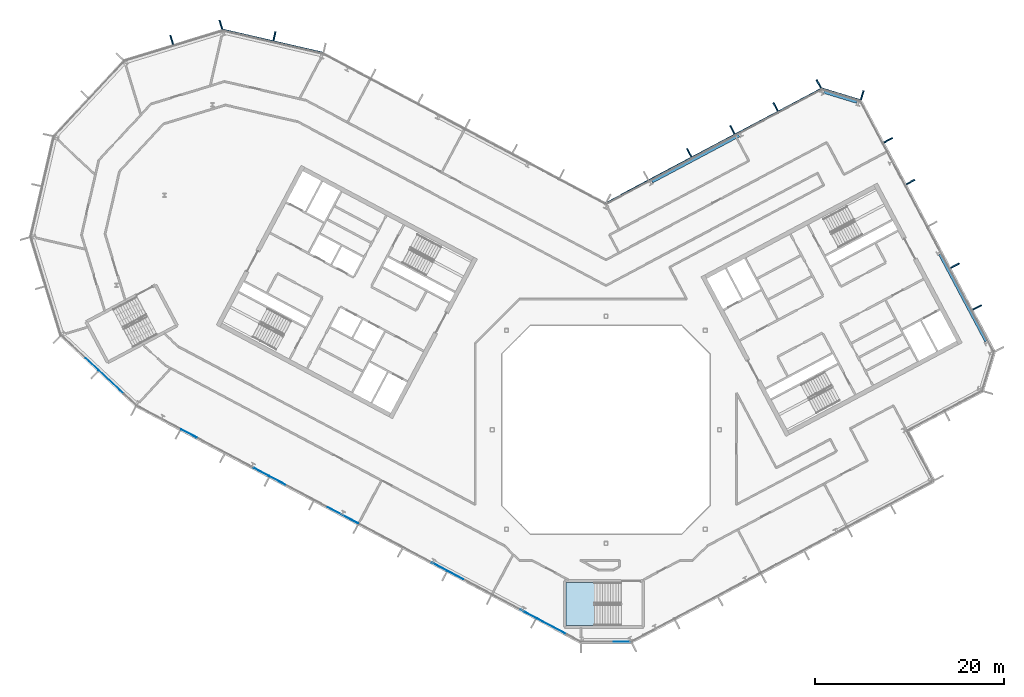
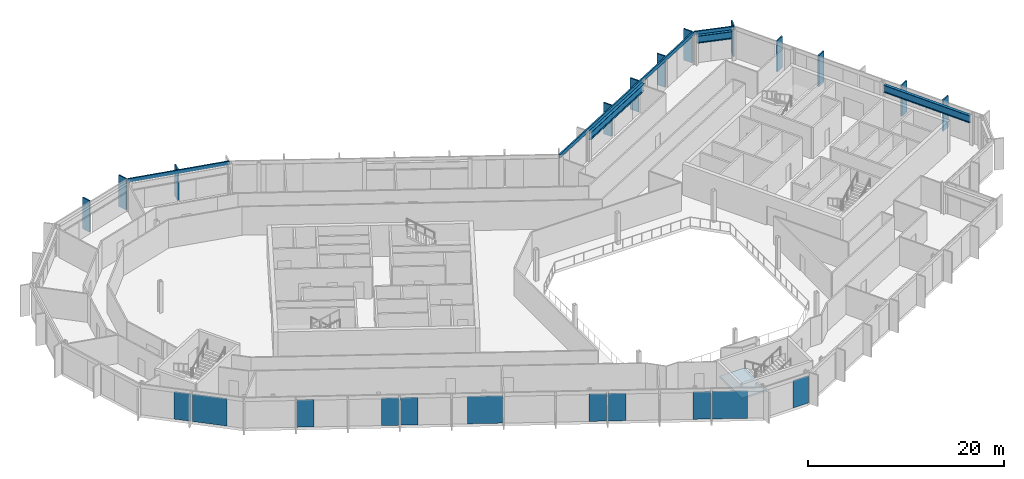
# One storey, part 10 of 26: 15 members, 11 plates, 3 beams, 1 slab, 9 elements without a shape of their own.
"""IFC4 building model written with IfcOpenShell, lengths in metres."""

from ifc_helpers import new_model, si_unit, direction, frame, origin, origin_2d, place, context, subcontext, project, spatial, polyline, rectangle, i_section, outline, extrude, material, layer, layer_set, material_profile, profile_set, type_object, element, aggregate, save


model = new_model("IFC4")

# Units and contexts
model_context = context("Model", 3, precision=1e-05, world=origin(), true_north=direction((0.0, 1.0)))
body_context = subcontext(model_context, "Body", "Model", "MODEL_VIEW")
ifc_project = project(units=[si_unit("LENGTHUNIT", "METRE"), si_unit("AREAUNIT", "SQUARE_METRE"), si_unit("VOLUMEUNIT", "CUBIC_METRE"), si_unit("PLANEANGLEUNIT", "RADIAN"), si_unit("MASSUNIT", "GRAM", prefix="KILO")], contexts=[model_context])

# Site, building, storey
site_placement = place(None, origin())
site = spatial("IfcSite", under=ifc_project, at=site_placement, CompositionType="ELEMENT")
building_placement = place(site_placement, origin())
building = spatial("IfcBuilding", under=site, at=building_placement, Name="Cormorant Relay Tower", CompositionType="ELEMENT")
storey_placement = place(building_placement, frame((0.0, 0.0, 308.699951171875)))
storey = spatial("IfcBuildingStorey", under=building, at=storey_placement, Name="L70", CompositionType="ELEMENT", Elevation=308.699951171875)

# Curtain wall, members
ifc_material_1 = material(Name="Aluminium 6063-T6 anodised bronze", Category="aluminium")
ifc_layer_1 = layer(ifc_material_1, 0.199951171875)
ifc_layer_set_1 = layer_set([ifc_layer_1], Name="CW1 unitised bronze curtain wall with vertical fins")
curtain_wall_type = type_object("IfcCurtainWallType", Name="CW1 unitised bronze curtain wall with vertical fins", PredefinedType="NOTDEFINED", material=ifc_layer_set_1)
curtain_wall_1_placement = place(storey_placement, origin())
curtain_wall_1 = element("IfcCurtainWall", 1, at=curtain_wall_1_placement, inside=storey, type_object=curtain_wall_type, Name="CW1 curtain wall 6", PredefinedType="NOTDEFINED")
ifc_material_2 = material(Name="Aluminium 6063-T6 anodised bronze", Category="aluminium")
ifc_material_profile_1 = material_profile(ifc_material_2, rectangle(XDim=0.14990234375, YDim=1.0, at=origin_2d()), Name="AL 150x1000")
ifc_profile_set_1 = profile_set([ifc_material_profile_1], Name="Aluminium 6063-T6 anodised bronze")
member_type_1 = type_object("IfcMemberType", Name="CW1 bronze fin mullion 150 x 1000", PredefinedType="MULLION", material=ifc_profile_set_1)
member_1_placement = place(storey_placement, frame((39.222412109375, 12.927001953125, 0.0), z_axis=(0.0, 0.0, 1.0), x_axis=(-0.469471562786, 0.882947592859, 0.0)))
member_1 = element("IfcMember", 2, at=member_1_placement, type_object=member_type_1, Name="CW1 fin 6.2", PredefinedType="MULLION", context=body_context, shape_type="SweptSolid", body=[
    extrude(rectangle(XDim=0.14990234375, YDim=1.0, at=origin_2d()), origin(), (0.0, 0.0, 1.0), 3.900146484375),
])
member_2_placement = place(storey_placement, frame((36.875, 17.341552734375, 0.0), z_axis=(0.0, 0.0, 1.0), x_axis=(-0.469471562786, 0.882947592859, 0.0)))
member_2 = element("IfcMember", 3, at=member_2_placement, type_object=member_type_1, Name="CW1 fin 6.3", PredefinedType="MULLION", context=body_context, shape_type="SweptSolid", body=[
    extrude(rectangle(XDim=0.14990234375, YDim=1.0, at=origin_2d()), origin(), (0.0, 0.0, 1.0), 3.900146484375),
])
member_3_placement = place(storey_placement, frame((32.18017578125, 26.171142578125, 0.0), z_axis=(0.0, 0.0, 1.0), x_axis=(-0.469471562786, 0.882947592859, 0.0)))
member_3 = element("IfcMember", 4, at=member_3_placement, type_object=member_type_1, Name="CW1 fin 6.5", PredefinedType="MULLION", context=body_context, shape_type="SweptSolid", body=[
    extrude(rectangle(XDim=0.14990234375, YDim=1.0, at=origin_2d()), origin(), (0.0, 0.0, 1.0), 3.900146484375),
])
member_4_placement = place(storey_placement, frame((29.832763671875, 30.585693359375, 0.0), z_axis=(0.0, 0.0, 1.0), x_axis=(-0.469471562786, 0.882947592859, 0.0)))
member_4 = element("IfcMember", 5, at=member_4_placement, type_object=member_type_1, Name="CW1 fin 6.6", PredefinedType="MULLION", context=body_context, shape_type="SweptSolid", body=[
    extrude(rectangle(XDim=0.14990234375, YDim=1.0, at=origin_2d()), origin(), (0.0, 0.0, 1.0), 3.900146484375),
])
aggregate(curtain_wall_1, [member_1, member_2, member_3, member_4])

# Curtain wall, member
curtain_wall_2_placement = place(storey_placement, origin())
curtain_wall_2 = element("IfcCurtainWall", 6, at=curtain_wall_2_placement, inside=storey, type_object=curtain_wall_type, Name="CW1 curtain wall 7", PredefinedType="NOTDEFINED")
member_5_placement = place(storey_placement, frame((27.072021484375, 35.34130859375, 0.0), z_axis=(0.0, 0.0, 1.0), x_axis=(-0.956304755963, 0.292371704723, 0.0)))
member_5 = element("IfcMember", 7, at=member_5_placement, type_object=member_type_1, Name="CW1 fin 7.1", PredefinedType="MULLION", context=body_context, shape_type="SweptSolid", body=[
    extrude(rectangle(XDim=0.14990234375, YDim=1.0, at=origin_2d()), origin(), (0.0, 0.0, 1.0), 3.900146484375),
])

# Curtain wall, members
curtain_wall_3_placement = place(storey_placement, origin())
curtain_wall_3 = element("IfcCurtainWall", 8, at=curtain_wall_3_placement, inside=storey, type_object=curtain_wall_type, Name="CW1 curtain wall 8", PredefinedType="NOTDEFINED")
member_6_placement = place(storey_placement, frame((22.4814453125, 36.530517578125, 0.0), z_axis=(0.0, 0.0, 1.0), x_axis=(-0.882947592859, -0.469471562786, 0.0)))
member_6 = element("IfcMember", 9, at=member_6_placement, type_object=member_type_1, Name="CW1 fin 8.1", PredefinedType="MULLION", context=body_context, shape_type="SweptSolid", body=[
    extrude(rectangle(XDim=0.14990234375, YDim=1.0, at=origin_2d()), origin(), (0.0, 0.0, 1.0), 3.900146484375),
])
member_7_placement = place(storey_placement, frame((17.91943359375, 34.104736328125, 0.0), z_axis=(0.0, 0.0, 1.0), x_axis=(-0.882947592859, -0.469471562786, 0.0)))
member_7 = element("IfcMember", 10, at=member_7_placement, type_object=member_type_1, Name="CW1 fin 8.2", PredefinedType="MULLION", context=body_context, shape_type="SweptSolid", body=[
    extrude(rectangle(XDim=0.14990234375, YDim=1.0, at=origin_2d()), origin(), (0.0, 0.0, 1.0), 3.900146484375),
])
member_8_placement = place(storey_placement, frame((13.357421875, 31.67919921875, 0.0), z_axis=(0.0, 0.0, 1.0), x_axis=(-0.882947592859, -0.469471562786, 0.0)))
member_8 = element("IfcMember", 11, at=member_8_placement, type_object=member_type_1, Name="CW1 fin 8.3", PredefinedType="MULLION", context=body_context, shape_type="SweptSolid", body=[
    extrude(rectangle(XDim=0.14990234375, YDim=1.0, at=origin_2d()), origin(), (0.0, 0.0, 1.0), 3.900146484375),
])
member_9_placement = place(storey_placement, frame((8.79541015625, 29.25341796875, 0.0), z_axis=(0.0, 0.0, 1.0), x_axis=(-0.882947592859, -0.469471562786, 0.0)))
member_9 = element("IfcMember", 12, at=member_9_placement, type_object=member_type_1, Name="CW1 fin 8.4", PredefinedType="MULLION", context=body_context, shape_type="SweptSolid", body=[
    extrude(rectangle(XDim=0.14990234375, YDim=1.0, at=origin_2d()), origin(), (0.0, 0.0, 1.0), 3.900146484375),
])

# Curtain wall, member
curtain_wall_4_placement = place(storey_placement, origin())
curtain_wall_4 = element("IfcCurtainWall", 13, at=curtain_wall_4_placement, inside=storey, type_object=curtain_wall_type, Name="CW1 curtain wall 10", PredefinedType="NOTDEFINED")
member_10_placement = place(storey_placement, frame((-35.01220703125, 41.57275390625, 0.0), z_axis=(0.0, 0.0, 1.0), x_axis=(-0.974370064785, 0.224951054344, 0.0)))
member_10 = element("IfcMember", 14, at=member_10_placement, type_object=member_type_1, Name="CW1 fin 10.2", PredefinedType="MULLION", context=body_context, shape_type="SweptSolid", body=[
    extrude(rectangle(XDim=0.14990234375, YDim=1.0, at=origin_2d()), origin(), (0.0, 0.0, 1.0), 3.900146484375),
])

# Curtain wall, members
curtain_wall_5_placement = place(storey_placement, origin())
curtain_wall_5 = element("IfcCurtainWall", 15, at=curtain_wall_5_placement, inside=storey, type_object=curtain_wall_type, Name="CW1 curtain wall 11", PredefinedType="NOTDEFINED")
member_11_placement = place(storey_placement, frame((-40.670166015625, 42.78271484375, 0.0), z_axis=(0.0, 0.0, 1.0), x_axis=(-0.956304755963, -0.292371704723, 0.0)))
member_11 = element("IfcMember", 16, at=member_11_placement, type_object=member_type_1, Name="CW1 fin 11.1", PredefinedType="MULLION", context=body_context, shape_type="SweptSolid", body=[
    extrude(rectangle(XDim=0.14990234375, YDim=1.0, at=origin_2d()), origin(), (0.0, 0.0, 1.0), 3.900146484375),
])
member_12_placement = place(storey_placement, frame((-45.867919921875, 41.193603515625, 0.0), z_axis=(0.0, 0.0, 1.0), x_axis=(-0.956304755963, -0.292371704723, 0.0)))
member_12 = element("IfcMember", 17, at=member_12_placement, type_object=member_type_1, Name="CW1 fin 11.2", PredefinedType="MULLION", context=body_context, shape_type="SweptSolid", body=[
    extrude(rectangle(XDim=0.14990234375, YDim=1.0, at=origin_2d()), origin(), (0.0, 0.0, 1.0), 3.900146484375),
])
aggregate(curtain_wall_5, [member_11, member_12])

# Member
ifc_material_3 = material(Name="Aluminium 6063-T6 anodised bronze", Category="aluminium")
ifc_material_profile_2 = material_profile(ifc_material_3, rectangle(XDim=0.159912109375, YDim=0.449951171875, at=origin_2d()), Name="AL 160x450")
ifc_profile_set_2 = profile_set([ifc_material_profile_2], Name="Aluminium 6063-T6 anodised bronze")
member_type_2 = type_object("IfcMemberType", Name="CW1 bronze transom 160 x 450", PredefinedType="USERDEFINED", material=ifc_profile_set_2)
member_13_placement = place(storey_placement, frame((26.902587890625, 34.78662109375, 3.675048828125), z_axis=(-0.956303761594, 0.292374957137, 0.0), x_axis=(-0.292374957137, -0.956303761594, 0.0)))
member_13 = element("IfcMember", 18, at=member_13_placement, type_object=member_type_2, Name="CW1 transom 7", ObjectType="TRANSOM", PredefinedType="USERDEFINED", context=body_context, shape_type="SweptSolid", body=[
    extrude(rectangle(XDim=0.159912109375, YDim=0.449951171875, at=origin_2d()), origin(), (0.0, 0.0, 1.0), 4.24267578125),
])

aggregate(curtain_wall_2, [member_5, member_13])

member_14_placement = place(storey_placement, frame((22.75390625, 36.018310546875, 3.675048828125), z_axis=(-0.882948156597, -0.469470502547, 0.0), x_axis=(0.469470502547, -0.882948156597, 0.0)))
member_14 = element("IfcMember", 19, at=member_14_placement, type_object=member_type_2, Name="CW1 transom 8", ObjectType="TRANSOM", PredefinedType="USERDEFINED", context=body_context, shape_type="SweptSolid", body=[
    extrude(rectangle(XDim=0.159912109375, YDim=0.449951171875, at=origin_2d()), origin(), (0.0, 0.0, 1.0), 25.834228515625),
])

aggregate(curtain_wall_3, [member_6, member_7, member_8, member_9, member_14])

member_15_placement = place(storey_placement, frame((-29.8466796875, 39.784912109375, 3.675048828125), z_axis=(-0.974365070969, 0.224972683844, 0.0), x_axis=(-0.224972683844, -0.974365070969, 0.0)))
member_15 = element("IfcMember", 20, at=member_15_placement, type_object=member_type_2, Name="CW1 transom 10", ObjectType="TRANSOM", PredefinedType="USERDEFINED", context=body_context, shape_type="SweptSolid", body=[
    extrude(rectangle(XDim=0.159912109375, YDim=0.449951171875, at=origin_2d()), origin(), (0.0, 0.0, 1.0), 10.870361328125),
])

aggregate(curtain_wall_4, [member_10, member_15])

# Beams
ifc_material_4 = material(Name="Steel ASTM A992 (Fy 345 MPa)", Category="steel")
ifc_material_profile_3 = material_profile(ifc_material_4, i_section(OverallWidth=0.307373046875, OverallDepth=0.927001953125, WebThickness=0.019287109375, FlangeThickness=0.031982421875, FilletRadius=0.01904296875, at=origin_2d()), Name="W920x289")
ifc_profile_set_3 = profile_set([ifc_material_profile_3], Name="Steel ASTM A992 (Fy 345 MPa)")
beam_type = type_object("IfcBeamType", Name="Spandrel W920x289", PredefinedType="SPANDREL", material=ifc_profile_set_3)
beam_1_placement = place(storey_placement, frame((40.1591796875, 9.3466796875, 3.07666015625), z_axis=(-0.469474391681, 0.882946088703, 0.0), x_axis=(-0.882946088703, -0.469474391681, 0.0)))
element("IfcBeam", 21, at=beam_1_placement, inside=storey, type_object=beam_type, Name="Spandrel beam L70-006", PredefinedType="SPANDREL", context=body_context, shape_type="SweptSolid", body=[
    extrude(i_section(OverallWidth=0.307373046875, OverallDepth=0.927001953125, WebThickness=0.019287109375, FlangeThickness=0.031982421875, FilletRadius=0.01904296875, at=origin_2d()), origin(), (0.0, 0.0, 1.0), 10.401611328125),
])
beam_2_placement = place(storey_placement, frame((26.512451171875, 34.619873046875, 3.07666015625), z_axis=(-0.956313678807, 0.292342517821, 0.0), x_axis=(-0.292342517821, -0.956313678807, 0.0)))
element("IfcBeam", 22, at=beam_2_placement, inside=storey, type_object=beam_type, Name="Spandrel beam L70-007", PredefinedType="SPANDREL", context=body_context, shape_type="SweptSolid", body=[
    extrude(i_section(OverallWidth=0.307373046875, OverallDepth=0.927001953125, WebThickness=0.019287109375, FlangeThickness=0.031982421875, FilletRadius=0.01904296875, at=origin_2d()), origin(), (0.0, 0.0, 1.0), 3.65185546875),
])
beam_3_placement = place(storey_placement, frame((14.05322265625, 31.082275390625, 3.07666015625), z_axis=(-0.882950644937, -0.469465822617, 0.0), x_axis=(0.469465822617, -0.882950644937, 0.0)))
element("IfcBeam", 23, at=beam_3_placement, inside=storey, type_object=beam_type, Name="Spandrel beam L70-008", PredefinedType="SPANDREL", context=body_context, shape_type="SweptSolid", body=[
    extrude(i_section(OverallWidth=0.307373046875, OverallDepth=0.927001953125, WebThickness=0.019287109375, FlangeThickness=0.031982421875, FilletRadius=0.01904296875, at=origin_2d()), origin(), (0.0, 0.0, 1.0), 10.4013671875),
])

# Curtain wall, plate
curtain_wall_6_placement = place(storey_placement, origin())
curtain_wall_6 = element("IfcCurtainWall", 24, at=curtain_wall_6_placement, inside=storey, type_object=curtain_wall_type, Name="CW1 curtain wall 1", PredefinedType="NOTDEFINED")
ifc_material_5 = material(Name="Tinted laminated glass", Category="glass")
ifc_layer_2 = layer(ifc_material_5, 0.0400390625)
ifc_layer_set_2 = layer_set([ifc_layer_2], Name="CW1 tinted vision panel 1800 module")
plate_type_1 = type_object("IfcPlateType", Name="CW1 tinted vision panel 1800 module", PredefinedType="CURTAIN_PANEL", material=ifc_layer_set_2)
plate_1_placement = place(storey_placement, frame((1.748779296875, -22.3955078125, 0.0), z_axis=(0.0, 0.0, 1.0), x_axis=(1.0, 0.0, 0.0)))
plate_1 = element("IfcPlate", 25, at=plate_1_placement, type_object=plate_type_1, Name="CW1 panel V01", PredefinedType="CURTAIN_PANEL", context=body_context, shape_type="SweptSolid", body=[
    extrude(rectangle(XDim=1.800048828125, YDim=0.0400390625, at=origin_2d()), origin(), (0.0, 0.0, 1.0), 3.449951171875),
])
aggregate(curtain_wall_6, [plate_1])

curtain_wall_7_placement = place(storey_placement, origin())
curtain_wall_7 = element("IfcCurtainWall", 26, at=curtain_wall_7_placement, inside=storey, type_object=curtain_wall_type, Name="CW1 curtain wall 15", PredefinedType="NOTDEFINED")
plate_2_placement = place(storey_placement, frame((-54.293212890625, 6.94140625, 0.0), z_axis=(0.0, 0.0, 1.0), x_axis=(0.731353701619, -0.681998360062, 0.0)))
plate_2 = element("IfcPlate", 27, at=plate_2_placement, type_object=plate_type_1, Name="CW1 panel V01", PredefinedType="CURTAIN_PANEL", context=body_context, shape_type="SweptSolid", body=[
    extrude(rectangle(XDim=1.800048828125, YDim=0.0400390625, at=origin_2d()), origin(), (0.0, 0.0, 1.0), 3.449951171875),
])

# Curtain wall, plates
curtain_wall_8_placement = place(storey_placement, origin())
curtain_wall_8 = element("IfcCurtainWall", 28, at=curtain_wall_8_placement, inside=storey, type_object=curtain_wall_type, Name="CW1 curtain wall 16", PredefinedType="NOTDEFINED")
plate_3_placement = place(storey_placement, frame((-44.0458984375, -0.38720703125, 0.0), z_axis=(0.0, 0.0, 1.0), x_axis=(0.882947592859, -0.469471562786, 0.0)))
plate_3 = element("IfcPlate", 29, at=plate_3_placement, type_object=plate_type_1, Name="CW1 panel V01", PredefinedType="CURTAIN_PANEL", context=body_context, shape_type="SweptSolid", body=[
    extrude(rectangle(XDim=1.800048828125, YDim=0.0400390625, at=origin_2d()), origin(), (0.0, 0.0, 1.0), 3.449951171875),
])
plate_4_placement = place(storey_placement, frame((-36.37890625, -4.463623046875, 0.0), z_axis=(0.0, 0.0, 1.0), x_axis=(0.882947592859, -0.469471562786, 0.0)))
plate_4 = element("IfcPlate", 30, at=plate_4_placement, type_object=plate_type_1, Name="CW1 panel V03", PredefinedType="CURTAIN_PANEL", context=body_context, shape_type="SweptSolid", body=[
    extrude(rectangle(XDim=1.800048828125, YDim=0.0400390625, at=origin_2d()), origin(), (0.0, 0.0, 1.0), 3.449951171875),
])
plate_5_placement = place(storey_placement, frame((-34.6572265625, -5.37890625, 0.0), z_axis=(0.0, 0.0, 1.0), x_axis=(0.882947592859, -0.469471562786, 0.0)))
plate_5 = element("IfcPlate", 31, at=plate_5_placement, type_object=plate_type_1, Name="CW1 panel V04", PredefinedType="CURTAIN_PANEL", context=body_context, shape_type="SweptSolid", body=[
    extrude(rectangle(XDim=1.800048828125, YDim=0.0400390625, at=origin_2d()), origin(), (0.0, 0.0, 1.0), 3.449951171875),
])
plate_6_placement = place(storey_placement, frame((-17.601806640625, -14.447509765625, 0.0), z_axis=(0.0, 0.0, 1.0), x_axis=(0.882947592859, -0.469471562786, 0.0)))
plate_6 = element("IfcPlate", 32, at=plate_6_placement, type_object=plate_type_1, Name="CW1 panel V08", PredefinedType="CURTAIN_PANEL", context=body_context, shape_type="SweptSolid", body=[
    extrude(rectangle(XDim=1.800048828125, YDim=0.0400390625, at=origin_2d()), origin(), (0.0, 0.0, 1.0), 3.449951171875),
])
plate_7_placement = place(storey_placement, frame((-15.880126953125, -15.363037109375, 0.0), z_axis=(0.0, 0.0, 1.0), x_axis=(0.882947592859, -0.469471562786, 0.0)))
plate_7 = element("IfcPlate", 33, at=plate_7_placement, type_object=plate_type_1, Name="CW1 panel V09", PredefinedType="CURTAIN_PANEL", context=body_context, shape_type="SweptSolid", body=[
    extrude(rectangle(XDim=1.800048828125, YDim=0.0400390625, at=origin_2d()), origin(), (0.0, 0.0, 1.0), 3.449951171875),
])
plate_8_placement = place(storey_placement, frame((-8.21337890625, -19.439453125, 0.0), z_axis=(0.0, 0.0, 1.0), x_axis=(0.882947592859, -0.469471562786, 0.0)))
plate_8 = element("IfcPlate", 34, at=plate_8_placement, type_object=plate_type_1, Name="CW1 panel V11", PredefinedType="CURTAIN_PANEL", context=body_context, shape_type="SweptSolid", body=[
    extrude(rectangle(XDim=1.800048828125, YDim=0.0400390625, at=origin_2d()), origin(), (0.0, 0.0, 1.0), 3.449951171875),
])

# Plate
ifc_material_6 = material(Name="Tinted laminated glass", Category="glass")
ifc_layer_3 = layer(ifc_material_6, 0.0400390625)
ifc_layer_set_3 = layer_set([ifc_layer_3], Name="CW1 tinted vision panel 3600 module")
plate_type_2 = type_object("IfcPlateType", Name="CW1 tinted vision panel 3600 module", PredefinedType="CURTAIN_PANEL", material=ifc_layer_set_3)
plate_9_placement = place(storey_placement, frame((-52.208984375, 4.997802734375, 0.0), z_axis=(0.0, 0.0, 1.0), x_axis=(0.731353701619, -0.681998360062, 0.0)))
plate_9 = element("IfcPlate", 35, at=plate_9_placement, type_object=plate_type_2, Name="CW1 panel V02", PredefinedType="CURTAIN_PANEL", context=body_context, shape_type="SweptSolid", body=[
    extrude(rectangle(XDim=3.60009765625, YDim=0.0400390625, at=origin_2d()), origin(), (0.0, 0.0, 1.0), 3.449951171875),
])

aggregate(curtain_wall_7, [plate_2, plate_9])

plate_10_placement = place(storey_placement, frame((-27.78515625, -9.032958984375, 0.0), z_axis=(0.0, 0.0, 1.0), x_axis=(0.882947592859, -0.469471562786, 0.0)))
plate_10 = element("IfcPlate", 36, at=plate_10_placement, type_object=plate_type_2, Name="CW1 panel V06", PredefinedType="CURTAIN_PANEL", context=body_context, shape_type="SweptSolid", body=[
    extrude(rectangle(XDim=3.60009765625, YDim=0.0400390625, at=origin_2d()), origin(), (0.0, 0.0, 1.0), 3.449951171875),
])

plate_11_placement = place(storey_placement, frame((-5.697021484375, -20.777587890625, 0.0), z_axis=(0.0, 0.0, 1.0), x_axis=(0.882947592859, -0.469471562786, 0.0)))
plate_11 = element("IfcPlate", 37, at=plate_11_placement, type_object=plate_type_2, Name="CW1 panel V12", PredefinedType="CURTAIN_PANEL", context=body_context, shape_type="SweptSolid", body=[
    extrude(rectangle(XDim=3.60009765625, YDim=0.0400390625, at=origin_2d()), origin(), (0.0, 0.0, 1.0), 3.449951171875),
])

aggregate(curtain_wall_8, [plate_3, plate_4, plate_5, plate_10, plate_6, plate_7, plate_8, plate_11])

# Stair, slab
ifc_material_7 = material(Name="Concrete 40 MPa", Category="concrete")
stair_type = type_object("IfcStairType", Name="Remote exit stair 2200", PredefinedType="HALF_TURN_STAIR", material=ifc_material_7)
stair_placement = place(storey_placement, origin())
stair = element("IfcStair", 38, at=stair_placement, inside=storey, type_object=stair_type, Name="L70 Stair", PredefinedType="HALF_TURN_STAIR")
ifc_material_8 = material(Name="Concrete 40 MPa", Category="concrete")
ifc_layer_4 = layer(ifc_material_8, 0.199951171875)
ifc_layer_set_4 = layer_set([ifc_layer_4], Name="Exit stair landing 200")
slab_type = type_object("IfcSlabType", Name="Exit stair landing 200", PredefinedType="LANDING", material=ifc_layer_set_4)
slab_placement = place(storey_placement, frame((0.0, 0.0, 1.75)))
slab = element("IfcSlab", 39, at=slab_placement, type_object=slab_type, Name="RK1 landing 1", PredefinedType="LANDING", context=body_context, shape_type="SweptSolid", body=[
    extrude(outline(polyline([(-1.199951171875, -16.125), (-4.199951171875, -16.125), (-4.199951171875, -20.675048828125), (-1.199951171875, -20.675048828125), (-1.199951171875, -16.125)])), origin(), (0.0, 0.0, 1.0), 0.199951171875),
])
aggregate(stair, [slab])

save(model, "model.ifc")
